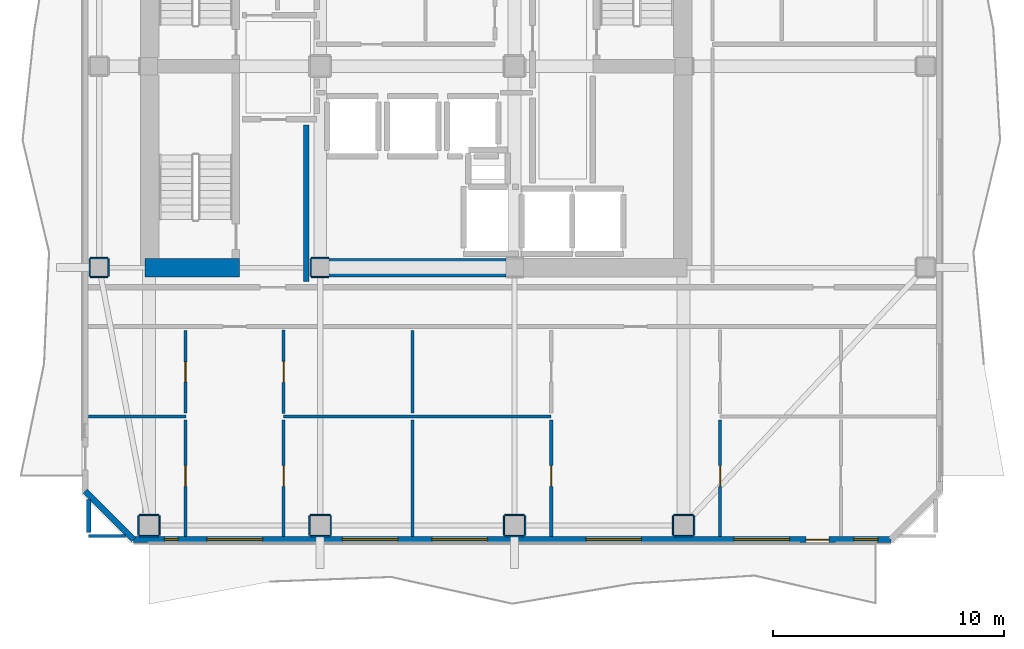
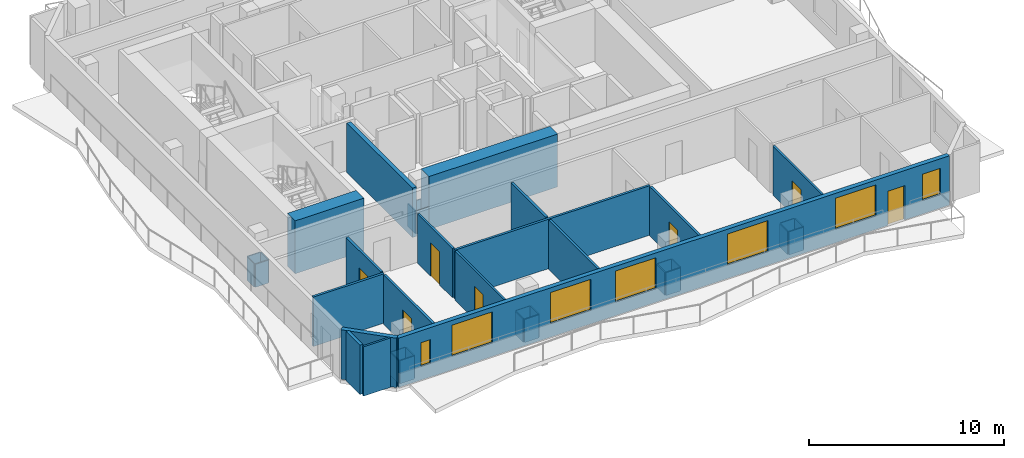
# One storey, part 2 of 9: 40 walls, 7 doors, 7 windows, 14 openings.
"""IFC4 building model written with IfcOpenShell, lengths in metres."""

from ifc_helpers import new_model, si_unit, direction, frame, frame_2d, origin, place, context, subcontext, project, spatial, rectangle, extrude, material, layer, layer_set, type_object, element, fill, save


model = new_model("IFC4")

# Units and contexts
model_context = context("Model", 3, precision=1e-05, world=origin(), true_north=direction((0.0, 1.0)))
body_context = subcontext(model_context, "Body", "Model", "MODEL_VIEW")
ifc_project = project(units=[si_unit("LENGTHUNIT", "METRE"), si_unit("AREAUNIT", "SQUARE_METRE"), si_unit("VOLUMEUNIT", "CUBIC_METRE"), si_unit("PLANEANGLEUNIT", "RADIAN"), si_unit("MASSUNIT", "GRAM", prefix="KILO")], contexts=[model_context])

# Site, building, storey
site_placement = place(None, origin())
site = spatial("IfcSite", under=ifc_project, at=site_placement, CompositionType="ELEMENT")
building_placement = place(site_placement, origin())
building = spatial("IfcBuilding", under=site, at=building_placement, Name="Solanera Arch Residences", CompositionType="ELEMENT")
storey_placement = place(building_placement, frame((0.0, 0.0, 216.719970703125)))
storey = spatial("IfcBuildingStorey", under=building, at=storey_placement, Name="L63", CompositionType="ELEMENT", Elevation=216.719970703125)

# Walls
ifc_material_1 = material(Name="Fire-Rated Gypsum Stud Partition", Category="gypsum")
ifc_layer_1 = layer(ifc_material_1, 0.06005859375)
ifc_layer_set_1 = layer_set([ifc_layer_1], Name="Fire-Rated Gypsum Stud Partition")
wall_type_1 = type_object("IfcWallType", Name="Column Acoustic Furring Wall 60", PredefinedType="PARTITIONING", material=ifc_layer_set_1)
for number, where, z_axis, x_axis, name in (
    (1, (20.425048828125, 21.593017578125, 0.0), (0.0, 0.0, 1.0), (1.0, 0.0, 0.0), "L63 Column Furring 1S"),
    (2, (20.425048828125, 22.406982421875, 0.0), (0.0, 0.0, 1.0), (1.0, 0.0, 0.0), "L63 Column Furring 1N"),
):
    element("IfcWall", number, at=place(storey_placement, frame(where, z_axis=z_axis, x_axis=x_axis)), inside=storey, type_object=wall_type_1, Name=name, PredefinedType="PARTITIONING", context=body_context, shape_type="SweptSolid", body=[
        extrude(rectangle(XDim=0.741943359375, YDim=0.06005859375, at=frame_2d((0.37109375, 0.0))), origin(), (0.0, 0.0, 1.0), 1.449951171875),
    ])
wall_1_placement = place(storey_placement, frame((20.39306640625, 21.625, 0.0), z_axis=(0.0, 0.0, 1.0), x_axis=(0.0, 1.0, 0.0)))
element("IfcWall", 3, at=wall_1_placement, inside=storey, type_object=wall_type_1, Name="L63 Column Furring 1W", PredefinedType="PARTITIONING", context=body_context, shape_type="SweptSolid", body=[
    extrude(rectangle(XDim=0.75, YDim=0.06005859375, at=frame_2d((0.375, 0.0))), origin(), (0.0, 0.0, 1.0), 1.449951171875),
])
for number, where, z_axis, x_axis, name in (
    (4, (12.97509765625, 10.39306640625, 0.0), (0.0, 0.0, 1.0), (1.0, 0.0, 0.0), "L63 Column Furring 9S"),
    (5, (12.97509765625, 11.306884765625, 0.0), (0.0, 0.0, 1.0), (1.0, 0.0, 0.0), "L63 Column Furring 9N"),
    (6, (12.943115234375, 10.425048828125, 0.0), (0.0, 0.0, 1.0), (0.0, 1.0, 0.0), "L63 Column Furring 9W"),
    (7, (13.85693359375, 10.425048828125, 0.0), (0.0, 0.0, 1.0), (0.0, 1.0, 0.0), "L63 Column Furring 9E"),
):
    element("IfcWall", number, at=place(storey_placement, frame(where, z_axis=z_axis, x_axis=x_axis)), inside=storey, type_object=wall_type_1, Name=name, PredefinedType="PARTITIONING", context=body_context, shape_type="SweptSolid", body=[
        extrude(rectangle(XDim=0.849853515625, YDim=0.06005859375, at=frame_2d((0.4248046875, 0.0))), origin(), (0.0, 0.0, 1.0), 1.449951171875),
    ])
for number, where, z_axis, x_axis, name in (
    (8, (20.375, 10.39306640625, 0.0), (0.0, 0.0, 1.0), (1.0, 0.0, 0.0), "L63 Column Furring 11S"),
    (9, (20.375, 11.306884765625, 0.0), (0.0, 0.0, 1.0), (1.0, 0.0, 0.0), "L63 Column Furring 11N"),
):
    element("IfcWall", number, at=place(storey_placement, frame(where, z_axis=z_axis, x_axis=x_axis)), inside=storey, type_object=wall_type_1, Name=name, PredefinedType="PARTITIONING", context=body_context, shape_type="SweptSolid", body=[
        extrude(rectangle(XDim=0.85009765625, YDim=0.06005859375, at=frame_2d((0.425048828125, 0.0))), origin(), (0.0, 0.0, 1.0), 1.449951171875),
    ])
for number, where, z_axis, x_axis, name in (
    (10, (20.343017578125, 10.425048828125, 0.0), (0.0, 0.0, 1.0), (0.0, 1.0, 0.0), "L63 Column Furring 11W"),
    (11, (21.257080078125, 10.425048828125, 0.0), (0.0, 0.0, 1.0), (0.0, 1.0, 0.0), "L63 Column Furring 11E"),
):
    element("IfcWall", number, at=place(storey_placement, frame(where, z_axis=z_axis, x_axis=x_axis)), inside=storey, type_object=wall_type_1, Name=name, PredefinedType="PARTITIONING", context=body_context, shape_type="SweptSolid", body=[
        extrude(rectangle(XDim=0.849853515625, YDim=0.06005859375, at=frame_2d((0.4248046875, 0.0))), origin(), (0.0, 0.0, 1.0), 1.449951171875),
    ])
for number, where, z_axis, x_axis, name in (
    (12, (28.77490234375, 10.39306640625, 0.0), (0.0, 0.0, 1.0), (1.0, 0.0, 0.0), "L63 Column Furring 13S"),
    (13, (28.77490234375, 11.306884765625, 0.0), (0.0, 0.0, 1.0), (1.0, 0.0, 0.0), "L63 Column Furring 13N"),
):
    element("IfcWall", number, at=place(storey_placement, frame(where, z_axis=z_axis, x_axis=x_axis)), inside=storey, type_object=wall_type_1, Name=name, PredefinedType="PARTITIONING", context=body_context, shape_type="SweptSolid", body=[
        extrude(rectangle(XDim=0.85009765625, YDim=0.06005859375, at=frame_2d((0.425048828125, 0.0))), origin(), (0.0, 0.0, 1.0), 1.449951171875),
    ])
for number, where, z_axis, x_axis, name in (
    (14, (28.742919921875, 10.425048828125, 0.0), (0.0, 0.0, 1.0), (0.0, 1.0, 0.0), "L63 Column Furring 13W"),
    (15, (29.656982421875, 10.425048828125, 0.0), (0.0, 0.0, 1.0), (0.0, 1.0, 0.0), "L63 Column Furring 13E"),
):
    element("IfcWall", number, at=place(storey_placement, frame(where, z_axis=z_axis, x_axis=x_axis)), inside=storey, type_object=wall_type_1, Name=name, PredefinedType="PARTITIONING", context=body_context, shape_type="SweptSolid", body=[
        extrude(rectangle(XDim=0.849853515625, YDim=0.06005859375, at=frame_2d((0.4248046875, 0.0))), origin(), (0.0, 0.0, 1.0), 1.449951171875),
    ])
for number, where, z_axis, x_axis, name in (
    (16, (36.074951171875, 10.39306640625, 0.0), (0.0, 0.0, 1.0), (1.0, 0.0, 0.0), "L63 Column Furring 15S"),
    (17, (36.074951171875, 11.306884765625, 0.0), (0.0, 0.0, 1.0), (1.0, 0.0, 0.0), "L63 Column Furring 15N"),
):
    element("IfcWall", number, at=place(storey_placement, frame(where, z_axis=z_axis, x_axis=x_axis)), inside=storey, type_object=wall_type_1, Name=name, PredefinedType="PARTITIONING", context=body_context, shape_type="SweptSolid", body=[
        extrude(rectangle(XDim=0.85009765625, YDim=0.06005859375, at=frame_2d((0.425048828125, 0.0))), origin(), (0.0, 0.0, 1.0), 1.449951171875),
    ])
for number, where, z_axis, x_axis, name in (
    (18, (36.04296875, 10.425048828125, 0.0), (0.0, 0.0, 1.0), (0.0, 1.0, 0.0), "L63 Column Furring 15W"),
    (19, (36.95703125, 10.425048828125, 0.0), (0.0, 0.0, 1.0), (0.0, 1.0, 0.0), "L63 Column Furring 15E"),
):
    element("IfcWall", number, at=place(storey_placement, frame(where, z_axis=z_axis, x_axis=x_axis)), inside=storey, type_object=wall_type_1, Name=name, PredefinedType="PARTITIONING", context=body_context, shape_type="SweptSolid", body=[
        extrude(rectangle(XDim=0.849853515625, YDim=0.06005859375, at=frame_2d((0.4248046875, 0.0))), origin(), (0.0, 0.0, 1.0), 1.449951171875),
    ])
for number, where, z_axis, x_axis, name in (
    (20, (10.875, 21.593017578125, 0.0), (0.0, 0.0, 1.0), (1.0, 0.0, 0.0), "L63 Column Furring 17S"),
    (21, (10.875, 22.406982421875, 0.0), (0.0, 0.0, 1.0), (1.0, 0.0, 0.0), "L63 Column Furring 17N"),
    (22, (10.843017578125, 21.625, 0.0), (0.0, 0.0, 1.0), (0.0, 1.0, 0.0), "L63 Column Furring 17W"),
    (23, (11.656982421875, 21.625, 0.0), (0.0, 0.0, 1.0), (0.0, 1.0, 0.0), "L63 Column Furring 17E"),
):
    element("IfcWall", number, at=place(storey_placement, frame(where, z_axis=z_axis, x_axis=x_axis)), inside=storey, type_object=wall_type_1, Name=name, PredefinedType="PARTITIONING", context=body_context, shape_type="SweptSolid", body=[
        extrude(rectangle(XDim=0.75, YDim=0.06005859375, at=frame_2d((0.375, 0.0))), origin(), (0.0, 0.0, 1.0), 1.449951171875),
    ])
ifc_material_2 = material(Name="Concrete C40/50 (f'c = 45 MPa)", Category="concrete")
ifc_layer_2 = layer(ifc_material_2, 0.800048828125)
ifc_layer_set_2 = layer_set([ifc_layer_2], Name="Concrete C40/50 (f'c = 45 MPa)")
wall_type_2 = type_object("IfcWallType", Name="Core Shear Wall CW-800", PredefinedType="SHEAR", material=ifc_layer_set_2)
wall_2_placement = place(storey_placement, frame((13.239990234375, 22.0, 0.0), z_axis=(0.0, 0.0, 1.0), x_axis=(1.0, 0.0, 0.0)))
element("IfcWall", 24, at=wall_2_placement, inside=storey, type_object=wall_type_2, Name="L63 South-West Core Shear Wall", PredefinedType="SHEAR", context=body_context, shape_type="SweptSolid", body=[
    extrude(rectangle(XDim=4.080078125, YDim=0.800048828125, at=frame_2d((2.0400390625, 0.0))), origin(), (0.0, 0.0, 1.0), 3.320068359375),
])
wall_3_placement = place(storey_placement, frame((21.179931640625, 22.0, 0.0), z_axis=(0.0, 0.0, 1.0), x_axis=(1.0, 0.0, 0.0)))
element("IfcWall", 25, at=wall_3_placement, inside=storey, type_object=wall_type_2, Name="L63 Central South Core Shear Wall", PredefinedType="SHEAR", context=body_context, shape_type="SweptSolid", body=[
    extrude(rectangle(XDim=7.64013671875, YDim=0.800048828125, at=frame_2d((3.820068359375, 0.0))), origin(), (0.0, 0.0, 1.0), 3.320068359375),
])
ifc_material_3 = material(Name="Autoclaved Aerated Concrete Blockwork", Category="masonry")
ifc_layer_3 = layer(ifc_material_3, 0.179931640625)
ifc_layer_set_3 = layer_set([ifc_layer_3], Name="Autoclaved Aerated Concrete Blockwork")
wall_type_3 = type_object("IfcWallType", Name="Corridor Fire Partition 180", PredefinedType="PARTITIONING", material=ifc_layer_set_3)
wall_4_placement = place(storey_placement, frame((10.800048828125, 10.55810546875, 0.0), z_axis=(0.0, 0.0, 1.0), x_axis=(0.0, 1.0, 0.0)))
element("IfcWall", 26, at=wall_4_placement, inside=storey, type_object=wall_type_3, Name="L63 Interior Partition V6", PredefinedType="PARTITIONING", context=body_context, shape_type="SweptSolid", body=[
    extrude(rectangle(XDim=1.430908203125, YDim=0.179931640625, at=frame_2d((0.71533203125, 0.0))), origin(), (0.0, 0.0, 1.0), 3.10009765625),
])

# Wall, openings, door, windows
ifc_material_4 = material(Name="Precast Concrete C35/45", Category="concrete")
ifc_layer_4 = layer(ifc_material_4, 0.260009765625)
ifc_layer_set_4 = layer_set([ifc_layer_4], Name="Precast Concrete C35/45")
wall_type_4 = type_object("IfcWallType", Name="Exterior Wall Precast Masonry-Frame 260", PredefinedType="STANDARD", material=ifc_layer_set_4)
wall_5_placement = place(storey_placement, frame((45.455078125, 10.2451171875, 0.0), z_axis=(0.0, 0.0, 1.0), x_axis=(-1.0, 0.0, 0.0)))
wall_5 = element("IfcWall", 27, at=wall_5_placement, inside=storey, type_object=wall_type_4, Name="L63 Tower Exterior Precast Masonry-Frame Wall S", PredefinedType="STANDARD", context=body_context, shape_type="SweptSolid", body=[
    extrude(rectangle(XDim=32.7099609375, YDim=0.260009765625, at=frame_2d((16.35498046875, 0.0))), origin(), (0.0, 0.0, 1.0), 3.10009765625),
])
opening_1_placement = place(wall_5_placement, frame((2.6650390625, 0.0, 0.0)))
opening_1 = element("IfcOpeningElement", 28, at=opening_1_placement, cuts=wall_5, Name="Opening DB-01", PredefinedType="OPENING", context=body_context, shape_type="SweptSolid", body=[
    extrude(rectangle(XDim=1.0, YDim=2.14990234375, at=frame_2d((0.5, 1.074951171875))), frame((0.0, 0.139892578125, 0.0), z_axis=(0.0, -1.0, 0.0), x_axis=(1.0, 0.0, 0.0)), (0.0, 0.0, 1.0), 0.28),
])
opening_2_placement = place(wall_5_placement, frame((27.14697265625, 0.0, 0.85009765625)))
opening_2 = element("IfcOpeningElement", 29, at=opening_2_placement, cuts=wall_5, Name="Opening W-05", PredefinedType="OPENING", context=body_context, shape_type="SweptSolid", body=[
    extrude(rectangle(XDim=2.39990234375, YDim=1.949951171875, at=frame_2d((1.199951171875, 0.97509765625))), frame((0.0, 0.139892578125, 0.0), z_axis=(0.0, -1.0, 0.0), x_axis=(1.0, 0.0, 0.0)), (0.0, 0.0, 1.0), 0.28),
])
opening_3_placement = place(wall_5_placement, frame((30.804931640625, 0.0, 0.85009765625)))
opening_3 = element("IfcOpeningElement", 30, at=opening_3_placement, cuts=wall_5, Name="Opening W-14", PredefinedType="OPENING", context=body_context, shape_type="SweptSolid", body=[
    extrude(rectangle(XDim=0.580078125, YDim=1.5, at=frame_2d((0.2900390625, 0.75))), frame((0.0, 0.139892578125, 0.0), z_axis=(0.0, -1.0, 0.0), x_axis=(1.0, 0.0, 0.0)), (0.0, 0.0, 1.0), 0.28),
])
opening_4_placement = place(wall_5_placement, frame((21.300048828125, 0.0, 0.85009765625)))
opening_4 = element("IfcOpeningElement", 31, at=opening_4_placement, cuts=wall_5, Name="Opening W-05", PredefinedType="OPENING", context=body_context, shape_type="SweptSolid", body=[
    extrude(rectangle(XDim=2.39990234375, YDim=1.949951171875, at=frame_2d((1.199951171875, 0.97509765625))), frame((0.0, 0.139892578125, 0.0), z_axis=(0.0, -1.0, 0.0), x_axis=(1.0, 0.0, 0.0)), (0.0, 0.0, 1.0), 0.28),
])
opening_5_placement = place(wall_5_placement, frame((10.777099609375, 0.0, 0.85009765625)))
opening_5 = element("IfcOpeningElement", 32, at=opening_5_placement, cuts=wall_5, Name="Opening W-05", PredefinedType="OPENING", context=body_context, shape_type="SweptSolid", body=[
    extrude(rectangle(XDim=2.39990234375, YDim=1.949951171875, at=frame_2d((1.199951171875, 0.97509765625))), frame((0.0, 0.139892578125, 0.0), z_axis=(0.0, -1.0, 0.0), x_axis=(1.0, 0.0, 0.0)), (0.0, 0.0, 1.0), 0.28),
])
opening_6_placement = place(wall_5_placement, frame((17.425048828125, 0.0, 0.85009765625)))
opening_6 = element("IfcOpeningElement", 33, at=opening_6_placement, cuts=wall_5, Name="Opening W-05", PredefinedType="OPENING", context=body_context, shape_type="SweptSolid", body=[
    extrude(rectangle(XDim=2.39990234375, YDim=1.949951171875, at=frame_2d((1.199951171875, 0.97509765625))), frame((0.0, 0.139892578125, 0.0), z_axis=(0.0, -1.0, 0.0), x_axis=(1.0, 0.0, 0.0)), (0.0, 0.0, 1.0), 0.28),
])
opening_7_placement = place(wall_5_placement, frame((4.3701171875, 0.0, 0.85009765625)))
opening_7 = element("IfcOpeningElement", 34, at=opening_7_placement, cuts=wall_5, Name="Opening W-05", PredefinedType="OPENING", context=body_context, shape_type="SweptSolid", body=[
    extrude(rectangle(XDim=2.39990234375, YDim=1.949951171875, at=frame_2d((1.199951171875, 0.97509765625))), frame((0.0, 0.139892578125, 0.0), z_axis=(0.0, -1.0, 0.0), x_axis=(1.0, 0.0, 0.0)), (0.0, 0.0, 1.0), 0.28),
])
opening_8_placement = place(wall_5_placement, frame((0.548095703125, 0.0, 0.85009765625)))
opening_8 = element("IfcOpeningElement", 35, at=opening_8_placement, cuts=wall_5, Name="Opening W-07", PredefinedType="OPENING", context=body_context, shape_type="SweptSolid", body=[
    extrude(rectangle(XDim=1.050048828125, YDim=1.64990234375, at=frame_2d((0.52490234375, 0.824951171875))), frame((0.0, 0.139892578125, 0.0), z_axis=(0.0, -1.0, 0.0), x_axis=(1.0, 0.0, 0.0)), (0.0, 0.0, 1.0), 0.28),
])
ifc_material_5 = material(Name="Anodised Aluminium Alloy 6063-T6", Category="aluminium")
door_type_1 = type_object("IfcDoorType", Name="Glazed Balcony Swing Door DB-01", OperationType="NOTDEFINED", PredefinedType="DOOR", material=ifc_material_5)
door_1_placement = place(opening_1_placement, origin())
door_1 = element("IfcDoor", 36, at=door_1_placement, inside=storey, type_object=door_type_1, Name="DR-L63-OUT-01", OperationType="SINGLE_SWING_LEFT", OverallHeight=2.14990234375, OverallWidth=1.0, PredefinedType="DOOR", context=body_context, shape_type="SweptSolid", body=[
    extrude(rectangle(XDim=1.0, YDim=2.14990234375, at=frame_2d((0.5, 1.074951171875))), frame((0.0, 0.02490234375, 0.0), z_axis=(0.0, -1.0, 0.0), x_axis=(1.0, 0.0, 0.0)), (0.0, 0.0, 1.0), 0.050048828125),
])
fill(opening_1, door_1)
ifc_material_6 = material(Name="Double Glazed Low-E Laminated Glass", Category="glass")
window_type_1 = type_object("IfcWindowType", Name="Punched Window W-05", PartitioningType="TRIPLE_PANEL_VERTICAL", PredefinedType="WINDOW", material=ifc_material_6)
window_1_placement = place(opening_2_placement, origin())
window_1 = element("IfcWindow", 37, at=window_1_placement, inside=storey, type_object=window_type_1, Name="L63 6301-LIV Punched Window", OverallHeight=1.949951171875, OverallWidth=2.39990234375, PartitioningType="SINGLE_PANEL", PredefinedType="WINDOW", context=body_context, shape_type="SweptSolid", body=[
    extrude(rectangle(XDim=2.39990234375, YDim=1.949951171875, at=frame_2d((1.199951171875, 0.97509765625))), frame((0.0, 0.030029296875, 0.0), z_axis=(0.0, -1.0, 0.0), x_axis=(1.0, 0.0, 0.0)), (0.0, 0.0, 1.0), 0.06005859375),
])
fill(opening_2, window_1)
window_2_placement = place(opening_4_placement, origin())
window_2 = element("IfcWindow", 38, at=window_2_placement, inside=storey, type_object=window_type_1, Name="L63 6301-BR2 Punched Window", OverallHeight=1.949951171875, OverallWidth=2.39990234375, PartitioningType="SINGLE_PANEL", PredefinedType="WINDOW", context=body_context, shape_type="SweptSolid", body=[
    extrude(rectangle(XDim=2.39990234375, YDim=1.949951171875, at=frame_2d((1.199951171875, 0.97509765625))), frame((0.0, 0.030029296875, 0.0), z_axis=(0.0, -1.0, 0.0), x_axis=(1.0, 0.0, 0.0)), (0.0, 0.0, 1.0), 0.06005859375),
])
fill(opening_4, window_2)
window_3_placement = place(opening_5_placement, origin())
window_3 = element("IfcWindow", 39, at=window_3_placement, inside=storey, type_object=window_type_1, Name="L63 6302-LIV Punched Window", OverallHeight=1.949951171875, OverallWidth=2.39990234375, PartitioningType="SINGLE_PANEL", PredefinedType="WINDOW", context=body_context, shape_type="SweptSolid", body=[
    extrude(rectangle(XDim=2.39990234375, YDim=1.949951171875, at=frame_2d((1.199951171875, 0.97509765625))), frame((0.0, 0.030029296875, 0.0), z_axis=(0.0, -1.0, 0.0), x_axis=(1.0, 0.0, 0.0)), (0.0, 0.0, 1.0), 0.06005859375),
])
fill(opening_5, window_3)
window_4_placement = place(opening_6_placement, origin())
window_4 = element("IfcWindow", 40, at=window_4_placement, inside=storey, type_object=window_type_1, Name="L63 6302-BR1 Punched Window", OverallHeight=1.949951171875, OverallWidth=2.39990234375, PartitioningType="SINGLE_PANEL", PredefinedType="WINDOW", context=body_context, shape_type="SweptSolid", body=[
    extrude(rectangle(XDim=2.39990234375, YDim=1.949951171875, at=frame_2d((1.199951171875, 0.97509765625))), frame((0.0, 0.030029296875, 0.0), z_axis=(0.0, -1.0, 0.0), x_axis=(1.0, 0.0, 0.0)), (0.0, 0.0, 1.0), 0.06005859375),
])
fill(opening_6, window_4)
window_5_placement = place(opening_7_placement, origin())
window_5 = element("IfcWindow", 41, at=window_5_placement, inside=storey, type_object=window_type_1, Name="L63 6302-BR2 Punched Window", OverallHeight=1.949951171875, OverallWidth=2.39990234375, PartitioningType="SINGLE_PANEL", PredefinedType="WINDOW", context=body_context, shape_type="SweptSolid", body=[
    extrude(rectangle(XDim=2.39990234375, YDim=1.949951171875, at=frame_2d((1.199951171875, 0.97509765625))), frame((0.0, 0.030029296875, 0.0), z_axis=(0.0, -1.0, 0.0), x_axis=(1.0, 0.0, 0.0)), (0.0, 0.0, 1.0), 0.06005859375),
])
fill(opening_7, window_5)
ifc_material_7 = material(Name="Double Glazed Low-E Laminated Glass", Category="glass")
window_type_2 = type_object("IfcWindowType", Name="Punched Window W-07", PartitioningType="SINGLE_PANEL", PredefinedType="WINDOW", material=ifc_material_7)
window_6_placement = place(opening_8_placement, origin())
window_6 = element("IfcWindow", 42, at=window_6_placement, inside=storey, type_object=window_type_2, Name="L63 6302-BR3 Punched Window", OverallHeight=1.64990234375, OverallWidth=1.050048828125, PartitioningType="SINGLE_PANEL", PredefinedType="WINDOW", context=body_context, shape_type="SweptSolid", body=[
    extrude(rectangle(XDim=1.050048828125, YDim=1.64990234375, at=frame_2d((0.52490234375, 0.824951171875))), frame((0.0, 0.030029296875, 0.0), z_axis=(0.0, -1.0, 0.0), x_axis=(1.0, 0.0, 0.0)), (0.0, 0.0, 1.0), 0.06005859375),
])
fill(opening_8, window_6)
ifc_material_8 = material(Name="Double Glazed Low-E Laminated Glass", Category="glass")
window_type_3 = type_object("IfcWindowType", Name="Punched Window W-14", PartitioningType="SINGLE_PANEL", PredefinedType="WINDOW", material=ifc_material_8)
window_7_placement = place(opening_3_placement, origin())
window_7 = element("IfcWindow", 43, at=window_7_placement, inside=storey, type_object=window_type_3, Name="L63 6301-BR1 Punched Window", OverallHeight=1.5, OverallWidth=0.580078125, PartitioningType="SINGLE_PANEL", PredefinedType="WINDOW", context=body_context, shape_type="SweptSolid", body=[
    extrude(rectangle(XDim=0.580078125, YDim=1.5, at=frame_2d((0.2900390625, 0.75))), frame((0.0, 0.030029296875, 0.0), z_axis=(0.0, -1.0, 0.0), x_axis=(1.0, 0.0, 0.0)), (0.0, 0.0, 1.0), 0.06005859375),
])
fill(opening_3, window_7)

# Walls
wall_6_placement = place(storey_placement, frame((12.7451171875, 10.2451171875, 0.0), z_axis=(0.0, 0.0, 1.0), x_axis=(-0.707147883682, 0.707065676302, 0.0)))
element("IfcWall", 44, at=wall_6_placement, inside=storey, type_object=wall_type_4, Name="L63 Tower Exterior Precast Masonry-Frame Wall CH7", PredefinedType="STANDARD", context=body_context, shape_type="SweptSolid", body=[
    extrude(rectangle(XDim=2.9697265625, YDim=0.260009765625, at=frame_2d((1.48486328125, 0.0))), origin(), (0.0, 0.0, 1.0), 3.10009765625),
])
ifc_material_9 = material(Name="Autoclaved Aerated Concrete Blockwork", Category="masonry")
ifc_layer_5 = layer(ifc_material_9, 0.239990234375)
ifc_layer_set_5 = layer_set([ifc_layer_5], Name="Autoclaved Aerated Concrete Blockwork")
wall_type_5 = type_object("IfcWallType", Name="Shaft Wall Fire-Rated 240", PredefinedType="PARTITIONING", material=ifc_layer_set_5)
wall_7_placement = place(storey_placement, frame((20.199951171875, 21.39794921875, 0.0), z_axis=(0.0, 0.0, 1.0), x_axis=(0.0, 1.0, 0.0)))
element("IfcWall", 45, at=wall_7_placement, inside=storey, type_object=wall_type_5, Name="L63 Interior Partition V2", PredefinedType="PARTITIONING", context=body_context, shape_type="SweptSolid", body=[
    extrude(rectangle(XDim=6.754150390625, YDim=0.239990234375, at=frame_2d((3.376953125, 0.0))), origin(), (0.0, 0.0, 1.0), 3.10009765625),
])
ifc_material_10 = material(Name="Fire-Rated Gypsum Stud Partition", Category="gypsum")
ifc_layer_6 = layer(ifc_material_10, 0.1201171875)
ifc_layer_set_6 = layer_set([ifc_layer_6], Name="Fire-Rated Gypsum Stud Partition")
wall_type_6 = type_object("IfcWallType", Name="Unit Drywall Partition 120", PredefinedType="PARTITIONING", material=ifc_layer_set_6)
wall_8_placement = place(storey_placement, frame((10.800048828125, 10.39990234375, 0.0), z_axis=(0.0, 0.0, 1.0), x_axis=(1.0, 0.0, 0.0)))
element("IfcWall", 46, at=wall_8_placement, inside=storey, type_object=wall_type_6, Name="L63 Interior Partition H19 1", PredefinedType="PARTITIONING", context=body_context, shape_type="SweptSolid", body=[
    extrude(rectangle(XDim=1.5888671875, YDim=0.1201171875, at=frame_2d((0.79443359375, 0.0))), origin(), (0.0, 0.0, 1.0), 3.10009765625),
])

# Wall, opening, door
wall_9_placement = place(storey_placement, frame((19.219970703125, 10.386962890625, 0.0), z_axis=(0.0, 0.0, 1.0), x_axis=(0.0, 1.0, 0.0)))
wall_9 = element("IfcWall", 47, at=wall_9_placement, inside=storey, type_object=wall_type_6, Name="L63 Interior Partition V19 1", PredefinedType="PARTITIONING", context=body_context, shape_type="SweptSolid", body=[
    extrude(rectangle(XDim=5.033935546875, YDim=0.1201171875, at=frame_2d((2.51708984375, 0.0))), origin(), (0.0, 0.0, 1.0), 3.10009765625),
])
opening_9_placement = place(wall_9_placement, frame((2.155029296875, 0.0, 0.0)))
opening_9 = element("IfcOpeningElement", 48, at=opening_9_placement, cuts=wall_9, Name="Opening DI-03", PredefinedType="OPENING", context=body_context, shape_type="SweptSolid", body=[
    extrude(rectangle(XDim=0.89990234375, YDim=2.10009765625, at=frame_2d((0.449951171875, 1.050048828125))), frame((0.0, 0.070068359375, 0.0), z_axis=(0.0, -1.0, 0.0), x_axis=(1.0, 0.0, 0.0)), (0.0, 0.0, 1.0), 0.1401),
])
ifc_material_11 = material(Name="Fire-Rated Architectural Hardwood", Category="wood")
door_type_2 = type_object("IfcDoorType", Name="Bedroom Swing Door DI-03", OperationType="NOTDEFINED", PredefinedType="DOOR", material=ifc_material_11)
door_2_placement = place(opening_9_placement, origin())
door_2 = element("IfcDoor", 49, at=door_2_placement, inside=storey, type_object=door_type_2, Name="DR-L63-IN-018", OperationType="SINGLE_SWING_LEFT", OverallHeight=2.10009765625, OverallWidth=0.89990234375, PredefinedType="DOOR", context=body_context, shape_type="SweptSolid", body=[
    extrude(rectangle(XDim=0.89990234375, YDim=2.10009765625, at=frame_2d((0.449951171875, 1.050048828125))), frame((0.0, 0.02490234375, 0.0), z_axis=(0.0, -1.0, 0.0), x_axis=(1.0, 0.0, 0.0)), (0.0, 0.0, 1.0), 0.050048828125),
])
fill(opening_9, door_2)

wall_10_placement = place(storey_placement, frame((19.219970703125, 15.697021484375, 0.0), z_axis=(0.0, 0.0, 1.0), x_axis=(0.0, 1.0, 0.0)))
wall_10 = element("IfcWall", 50, at=wall_10_placement, inside=storey, type_object=wall_type_6, Name="L63 Interior Partition V19 2", PredefinedType="PARTITIONING", context=body_context, shape_type="SweptSolid", body=[
    extrude(rectangle(XDim=3.594970703125, YDim=0.1201171875, at=frame_2d((1.79736328125, 0.0))), origin(), (0.0, 0.0, 1.0), 3.10009765625),
])
opening_10_placement = place(wall_10_placement, frame((1.344970703125, 0.0, 0.0)))
opening_10 = element("IfcOpeningElement", 51, at=opening_10_placement, cuts=wall_10, Name="Opening DI-02", PredefinedType="OPENING", context=body_context, shape_type="SweptSolid", body=[
    extrude(rectangle(XDim=0.89990234375, YDim=2.10009765625, at=frame_2d((0.449951171875, 1.050048828125))), frame((0.0, 0.070068359375, 0.0), z_axis=(0.0, -1.0, 0.0), x_axis=(1.0, 0.0, 0.0)), (0.0, 0.0, 1.0), 0.1401),
])
ifc_material_12 = material(Name="Fire-Rated Architectural Hardwood", Category="wood")
door_type_3 = type_object("IfcDoorType", Name="Suite Room Swing Door DI-02", OperationType="NOTDEFINED", PredefinedType="DOOR", material=ifc_material_12)
door_3_placement = place(opening_10_placement, origin())
door_3 = element("IfcDoor", 52, at=door_3_placement, inside=storey, type_object=door_type_3, Name="DR-L63-IN-017", OperationType="SINGLE_SWING_RIGHT", OverallHeight=2.10009765625, OverallWidth=0.89990234375, PredefinedType="DOOR", context=body_context, shape_type="SweptSolid", body=[
    extrude(rectangle(XDim=0.89990234375, YDim=2.10009765625, at=frame_2d((0.449951171875, 1.050048828125))), frame((0.0, 0.02490234375, 0.0), z_axis=(0.0, -1.0, 0.0), x_axis=(1.0, 0.0, 0.0)), (0.0, 0.0, 1.0), 0.050048828125),
])
fill(opening_10, door_3)

wall_11_placement = place(storey_placement, frame((38.080078125, 10.386962890625, 0.0), z_axis=(0.0, 0.0, 1.0), x_axis=(0.0, 1.0, 0.0)))
wall_11 = element("IfcWall", 53, at=wall_11_placement, inside=storey, type_object=wall_type_6, Name="L63 Interior Partition V23 1", PredefinedType="PARTITIONING", context=body_context, shape_type="SweptSolid", body=[
    extrude(rectangle(XDim=5.033935546875, YDim=0.1201171875, at=frame_2d((2.51708984375, 0.0))), origin(), (0.0, 0.0, 1.0), 3.10009765625),
])
opening_11_placement = place(wall_11_placement, frame((2.155029296875, 0.0, 0.0)))
opening_11 = element("IfcOpeningElement", 54, at=opening_11_placement, cuts=wall_11, Name="Opening DI-03", PredefinedType="OPENING", context=body_context, shape_type="SweptSolid", body=[
    extrude(rectangle(XDim=0.89990234375, YDim=2.10009765625, at=frame_2d((0.449951171875, 1.050048828125))), frame((0.0, 0.070068359375, 0.0), z_axis=(0.0, -1.0, 0.0), x_axis=(1.0, 0.0, 0.0)), (0.0, 0.0, 1.0), 0.1401),
])
door_4_placement = place(opening_11_placement, origin())
door_4 = element("IfcDoor", 55, at=door_4_placement, inside=storey, type_object=door_type_2, Name="DR-L63-IN-024", OperationType="SINGLE_SWING_LEFT", OverallHeight=2.10009765625, OverallWidth=0.89990234375, PredefinedType="DOOR", context=body_context, shape_type="SweptSolid", body=[
    extrude(rectangle(XDim=0.89990234375, YDim=2.10009765625, at=frame_2d((0.449951171875, 1.050048828125))), frame((0.0, 0.02490234375, 0.0), z_axis=(0.0, -1.0, 0.0), x_axis=(1.0, 0.0, 0.0)), (0.0, 0.0, 1.0), 0.050048828125),
])
fill(opening_11, door_4)

# Walls
ifc_material_13 = material(Name="Autoclaved Aerated Concrete Blockwork", Category="masonry")
ifc_layer_7 = layer(ifc_material_13, 0.139892578125)
ifc_layer_set_7 = layer_set([ifc_layer_7], Name="Autoclaved Aerated Concrete Blockwork")
wall_type_7 = type_object("IfcWallType", Name="Wet-Room Partition 140", PredefinedType="PARTITIONING", material=ifc_layer_set_7)
wall_12_placement = place(storey_placement, frame((10.787109375, 15.55908203125, 0.0), z_axis=(0.0, 0.0, 1.0), x_axis=(1.0, 0.0, 0.0)))
element("IfcWall", 56, at=wall_12_placement, inside=storey, type_object=wall_type_7, Name="L63 Interior Partition H14", PredefinedType="PARTITIONING", context=body_context, shape_type="SweptSolid", body=[
    extrude(rectangle(XDim=4.2080078125, YDim=0.139892578125, at=frame_2d((2.10400390625, 0.0))), origin(), (0.0, 0.0, 1.0), 3.10009765625),
])
wall_13_placement = place(storey_placement, frame((19.219970703125, 15.55908203125, 0.0), z_axis=(0.0, 0.0, 1.0), x_axis=(1.0, 0.0, 0.0)))
element("IfcWall", 57, at=wall_13_placement, inside=storey, type_object=wall_type_7, Name="L63 Interior Partition H15", PredefinedType="PARTITIONING", context=body_context, shape_type="SweptSolid", body=[
    extrude(rectangle(XDim=11.56005859375, YDim=0.139892578125, at=frame_2d((5.780029296875, 0.0))), origin(), (0.0, 0.0, 1.0), 3.10009765625),
])

# Wall, opening, door
wall_14_placement = place(storey_placement, frame((14.97998046875, 10.386962890625, 0.0), z_axis=(0.0, 0.0, 1.0), x_axis=(0.0, 1.0, 0.0)))
wall_14 = element("IfcWall", 58, at=wall_14_placement, inside=storey, type_object=wall_type_7, Name="L63 Interior Partition V11 1", PredefinedType="PARTITIONING", context=body_context, shape_type="SweptSolid", body=[
    extrude(rectangle(XDim=5.02392578125, YDim=0.139892578125, at=frame_2d((2.511962890625, 0.0))), origin(), (0.0, 0.0, 1.0), 3.10009765625),
])
opening_12_placement = place(wall_14_placement, frame((2.155029296875, 0.0, 0.0)))
opening_12 = element("IfcOpeningElement", 59, at=opening_12_placement, cuts=wall_14, Name="Opening DI-03", PredefinedType="OPENING", context=body_context, shape_type="SweptSolid", body=[
    extrude(rectangle(XDim=0.89990234375, YDim=2.10009765625, at=frame_2d((0.449951171875, 1.050048828125))), frame((0.0, 0.079833984375, 0.0), z_axis=(0.0, -1.0, 0.0), x_axis=(1.0, 0.0, 0.0)), (0.0, 0.0, 1.0), 0.1599),
])
door_5_placement = place(opening_12_placement, origin())
door_5 = element("IfcDoor", 60, at=door_5_placement, inside=storey, type_object=door_type_2, Name="DR-L63-IN-016", OperationType="SINGLE_SWING_LEFT", OverallHeight=2.10009765625, OverallWidth=0.89990234375, PredefinedType="DOOR", context=body_context, shape_type="SweptSolid", body=[
    extrude(rectangle(XDim=0.89990234375, YDim=2.10009765625, at=frame_2d((0.449951171875, 1.050048828125))), frame((0.0, 0.02490234375, 0.0), z_axis=(0.0, -1.0, 0.0), x_axis=(1.0, 0.0, 0.0)), (0.0, 0.0, 1.0), 0.050048828125),
])
fill(opening_12, door_5)

wall_15_placement = place(storey_placement, frame((14.97998046875, 15.70703125, 0.0), z_axis=(0.0, 0.0, 1.0), x_axis=(0.0, 1.0, 0.0)))
wall_15 = element("IfcWall", 61, at=wall_15_placement, inside=storey, type_object=wall_type_7, Name="L63 Interior Partition V11 2", PredefinedType="PARTITIONING", context=body_context, shape_type="SweptSolid", body=[
    extrude(rectangle(XDim=3.574951171875, YDim=0.139892578125, at=frame_2d((1.78759765625, 0.0))), origin(), (0.0, 0.0, 1.0), 3.10009765625),
])
opening_13_placement = place(wall_15_placement, frame((1.35498046875, 0.0, 0.0)))
opening_13 = element("IfcOpeningElement", 62, at=opening_13_placement, cuts=wall_15, Name="Opening DI-05", PredefinedType="OPENING", context=body_context, shape_type="SweptSolid", body=[
    extrude(rectangle(XDim=0.860107421875, YDim=2.02001953125, at=frame_2d((0.43017578125, 1.010009765625))), frame((0.0, 0.079833984375, 0.0), z_axis=(0.0, -1.0, 0.0), x_axis=(1.0, 0.0, 0.0)), (0.0, 0.0, 1.0), 0.1599),
])
ifc_material_14 = material(Name="Fire-Rated Architectural Hardwood", Category="wood")
door_type_4 = type_object("IfcDoorType", Name="Bathroom Swing Door DI-05", OperationType="NOTDEFINED", PredefinedType="DOOR", material=ifc_material_14)
door_6_placement = place(opening_13_placement, origin())
door_6 = element("IfcDoor", 63, at=door_6_placement, inside=storey, type_object=door_type_4, Name="DR-L63-IN-015", OperationType="SINGLE_SWING_RIGHT", OverallHeight=2.02001953125, OverallWidth=0.860107421875, PredefinedType="DOOR", context=body_context, shape_type="SweptSolid", body=[
    extrude(rectangle(XDim=0.860107421875, YDim=2.02001953125, at=frame_2d((0.43017578125, 1.010009765625))), frame((0.0, 0.02490234375, 0.0), z_axis=(0.0, -1.0, 0.0), x_axis=(1.0, 0.0, 0.0)), (0.0, 0.0, 1.0), 0.050048828125),
])
fill(opening_13, door_6)

# Walls
wall_16_placement = place(storey_placement, frame((24.783935546875, 10.386962890625, 0.0), z_axis=(0.0, 0.0, 1.0), x_axis=(0.0, 1.0, 0.0)))
element("IfcWall", 64, at=wall_16_placement, inside=storey, type_object=wall_type_7, Name="L63 Interior Partition V13 1", PredefinedType="PARTITIONING", context=body_context, shape_type="SweptSolid", body=[
    extrude(rectangle(XDim=5.02392578125, YDim=0.139892578125, at=frame_2d((2.511962890625, 0.0))), origin(), (0.0, 0.0, 1.0), 3.10009765625),
])
wall_17_placement = place(storey_placement, frame((24.783935546875, 15.70703125, 0.0), z_axis=(0.0, 0.0, 1.0), x_axis=(0.0, 1.0, 0.0)))
element("IfcWall", 65, at=wall_17_placement, inside=storey, type_object=wall_type_7, Name="L63 Interior Partition V13 2", PredefinedType="PARTITIONING", context=body_context, shape_type="SweptSolid", body=[
    extrude(rectangle(XDim=3.574951171875, YDim=0.139892578125, at=frame_2d((1.78759765625, 0.0))), origin(), (0.0, 0.0, 1.0), 3.10009765625),
])

# Wall, opening, door
wall_18_placement = place(storey_placement, frame((30.780029296875, 10.386962890625, 0.0), z_axis=(0.0, 0.0, 1.0), x_axis=(0.0, 1.0, 0.0)))
wall_18 = element("IfcWall", 66, at=wall_18_placement, inside=storey, type_object=wall_type_7, Name="L63 Interior Partition V15 1", PredefinedType="PARTITIONING", context=body_context, shape_type="SweptSolid", body=[
    extrude(rectangle(XDim=5.02392578125, YDim=0.139892578125, at=frame_2d((2.511962890625, 0.0))), origin(), (0.0, 0.0, 1.0), 3.10009765625),
])
opening_14_placement = place(wall_18_placement, frame((2.155029296875, 0.0, 0.0)))
opening_14 = element("IfcOpeningElement", 67, at=opening_14_placement, cuts=wall_18, Name="Opening DI-03", PredefinedType="OPENING", context=body_context, shape_type="SweptSolid", body=[
    extrude(rectangle(XDim=0.89990234375, YDim=2.10009765625, at=frame_2d((0.449951171875, 1.050048828125))), frame((0.0, 0.079833984375, 0.0), z_axis=(0.0, -1.0, 0.0), x_axis=(1.0, 0.0, 0.0)), (0.0, 0.0, 1.0), 0.1599),
])
door_7_placement = place(opening_14_placement, origin())
door_7 = element("IfcDoor", 68, at=door_7_placement, inside=storey, type_object=door_type_2, Name="DR-L63-IN-021", OperationType="SINGLE_SWING_RIGHT", OverallHeight=2.10009765625, OverallWidth=0.89990234375, PredefinedType="DOOR", context=body_context, shape_type="SweptSolid", body=[
    extrude(rectangle(XDim=0.89990234375, YDim=2.10009765625, at=frame_2d((0.449951171875, 1.050048828125))), frame((0.0, 0.02490234375, 0.0), z_axis=(0.0, -1.0, 0.0), x_axis=(1.0, 0.0, 0.0)), (0.0, 0.0, 1.0), 0.050048828125),
])
fill(opening_14, door_7)

save(model, "model.ifc")
